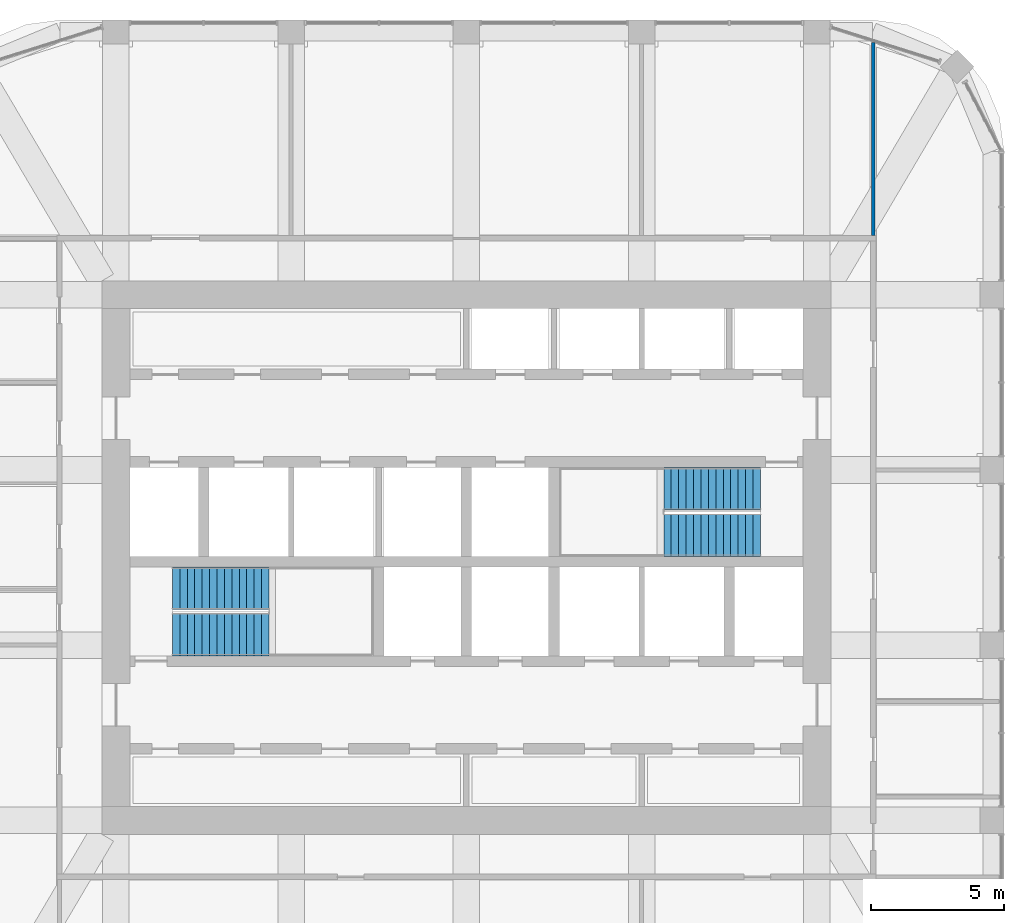
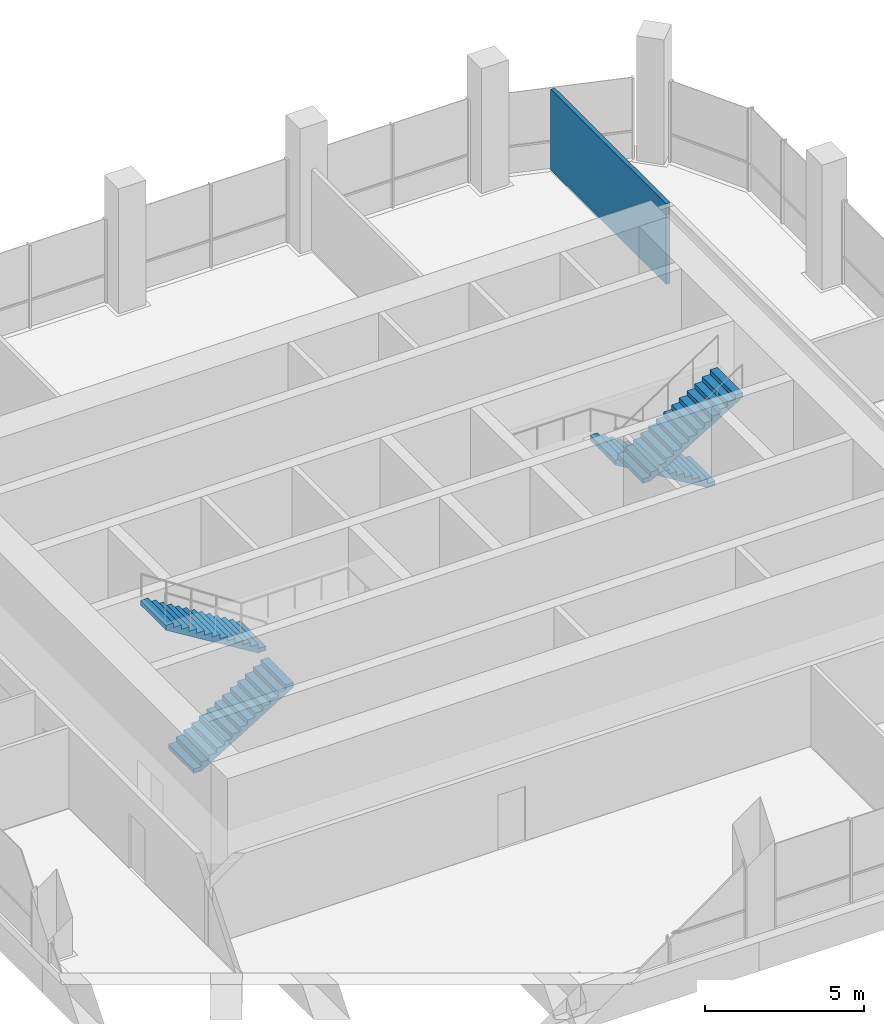
# One storey, part 11 of 13: 4 stair flights, 1 wall, 2 elements without a shape of their own.
"""IFC4 building model written with IfcOpenShell, lengths in metres."""

from ifc_helpers import new_model, si_unit, direction, frame, frame_2d, origin, place, context, subcontext, project, spatial, polyline, rectangle, outline, extrude, material, layer, layer_set, type_object, element, aggregate, save


model = new_model("IFC4")

# Units and contexts
model_context = context("Model", 3, precision=1e-05, world=origin(), true_north=direction((0.0, 1.0)))
body_context = subcontext(model_context, "Body", "Model", "MODEL_VIEW")
ifc_project = project(units=[si_unit("LENGTHUNIT", "METRE"), si_unit("AREAUNIT", "SQUARE_METRE"), si_unit("VOLUMEUNIT", "CUBIC_METRE"), si_unit("PLANEANGLEUNIT", "RADIAN"), si_unit("MASSUNIT", "GRAM", prefix="KILO")], contexts=[model_context])

# Site, building, storey
site_placement = place(None, origin())
site = spatial("IfcSite", under=ifc_project, at=site_placement, CompositionType="ELEMENT")
building_placement = place(site_placement, origin())
building = spatial("IfcBuilding", under=site, at=building_placement, Name="Cobogo Forest Laboratory Tower", CompositionType="ELEMENT")
storey_placement = place(building_placement, frame((0.0, 0.0, 288.0)))
storey = spatial("IfcBuildingStorey", under=building, at=storey_placement, Name="L66", CompositionType="ELEMENT", Elevation=288.0)

# Wall
ifc_material_1 = material(Name="Gypsum board on steel studs", Category="steel")
ifc_layer = layer(ifc_material_1, 0.14990234375)
ifc_layer_set = layer_set([ifc_layer], Name="PT1 laboratory partition 150")
wall_type = type_object("IfcWallType", Name="PT1 laboratory partition 150", PredefinedType="PARTITIONING", material=ifc_layer_set)
wall_placement = place(storey_placement, frame((41.72509765625, 42.4951171875, 0.0), z_axis=(0.0, 0.0, 1.0), x_axis=(0.0, -1.0, 0.0)))
element("IfcWall", 1, at=wall_placement, inside=storey, type_object=wall_type, Name="Partition PW-NE L66", PredefinedType="PARTITIONING", context=body_context, shape_type="SweptSolid", body=[
    extrude(rectangle(XDim=7.27001953125, YDim=0.14990234375, at=frame_2d((3.635009765625, 0.0))), origin(), (0.0, 0.0, 1.0), 3.10009765625),
])

# Stair, stair flights
ifc_material_2 = material(Name="Precast concrete HA-40 (C40/50)", Category="concrete")
stair_type = type_object("IfcStairType", Name="ST28 exit stair 28 risers", PredefinedType="HALF_TURN_STAIR", material=ifc_material_2)
stair_1_placement = place(storey_placement, origin())
stair_1 = element("IfcStair", 2, at=stair_1_placement, inside=storey, type_object=stair_type, Name="Stair 1 L66 to RF", PredefinedType="HALF_TURN_STAIR")
stair_flight_type = type_object("IfcStairFlightType", Name="ST stair flight 280 going", PredefinedType="STRAIGHT", material=ifc_material_2)
stair_flight_1_placement = place(storey_placement, frame((15.324951171875, 20.199951171875, 0.0), z_axis=(0.0, 0.0, 1.0), x_axis=(1.0, 0.0, 0.0)))
stair_flight_1 = element("IfcStairFlight", 3, at=stair_flight_1_placement, type_object=stair_flight_type, Name="ST1 flight 1", NumberOfRisers=14, NumberOfTreads=13, PredefinedType="STRAIGHT", RiserHeight=0.171428571, TreadLength=0.28, context=body_context, shape_type="SweptSolid", body=[
    extrude(outline(polyline([(0.0, 0.0), (0.0, 0.17138671875), (0.280029296875, 0.17138671875), (0.280029296875, 0.3427734375), (0.56005859375, 0.3427734375), (0.56005859375, 0.514404296875), (0.840087890625, 0.514404296875), (0.840087890625, 0.685791015625), (1.1201171875, 0.685791015625), (1.1201171875, 0.857177734375), (1.39990234375, 0.857177734375), (1.39990234375, 1.028564453125), (1.679931640625, 1.028564453125), (1.679931640625, 1.199951171875), (1.9599609375, 1.199951171875), (1.9599609375, 1.371337890625), (2.239990234375, 1.371337890625), (2.239990234375, 1.54296875), (2.52001953125, 1.54296875), (2.52001953125, 1.71435546875), (2.800048828125, 1.71435546875), (2.800048828125, 1.8857421875), (3.080078125, 1.8857421875), (3.080078125, 2.05712890625), (3.360107421875, 2.05712890625), (3.360107421875, 2.228515625), (3.639892578125, 2.228515625), (3.639892578125, 2.39990234375), (3.639892578125, 2.052734375), (0.287109375, 0.0), (0.0, 0.0)])), frame((0.0, 0.800048828125, 0.0), z_axis=(0.0, -1.0, 0.0), x_axis=(1.0, 0.0, 0.0)), (0.0, 0.0, 1.0), 1.60009765625),
])
stair_flight_2_placement = place(storey_placement, frame((18.965087890625, 21.949951171875, 2.39990234375), z_axis=(0.0, 0.0, 1.0), x_axis=(-1.0, 0.0, 0.0)))
stair_flight_2 = element("IfcStairFlight", 4, at=stair_flight_2_placement, type_object=stair_flight_type, Name="ST1 flight 2", NumberOfRisers=14, NumberOfTreads=13, PredefinedType="STRAIGHT", RiserHeight=0.171428571, TreadLength=0.28, context=body_context, shape_type="SweptSolid", body=[
    extrude(outline(polyline([(0.0, 0.0), (0.0, 0.17138671875), (0.280029296875, 0.17138671875), (0.280029296875, 0.3427734375), (0.56005859375, 0.3427734375), (0.56005859375, 0.514404296875), (0.840087890625, 0.514404296875), (0.840087890625, 0.685791015625), (1.1201171875, 0.685791015625), (1.1201171875, 0.857177734375), (1.39990234375, 0.857177734375), (1.39990234375, 1.028564453125), (1.679931640625, 1.028564453125), (1.679931640625, 1.199951171875), (1.9599609375, 1.199951171875), (1.9599609375, 1.371337890625), (2.239990234375, 1.371337890625), (2.239990234375, 1.54296875), (2.52001953125, 1.54296875), (2.52001953125, 1.71435546875), (2.800048828125, 1.71435546875), (2.800048828125, 1.8857421875), (3.080078125, 1.8857421875), (3.080078125, 2.05712890625), (3.360107421875, 2.05712890625), (3.360107421875, 2.228515625), (3.639892578125, 2.228515625), (3.639892578125, 2.39990234375), (3.639892578125, 2.052734375), (0.287109375, 0.0), (0.0, 0.0)])), frame((0.0, 0.800048828125, 0.0), z_axis=(0.0, -1.0, 0.0), x_axis=(1.0, 0.0, 0.0)), (0.0, 0.0, 1.0), 1.60009765625),
])
aggregate(stair_1, [stair_flight_1, stair_flight_2])

stair_2_placement = place(storey_placement, origin())
stair_2 = element("IfcStair", 5, at=stair_2_placement, inside=storey, type_object=stair_type, Name="Stair 2 L66 to RF", PredefinedType="HALF_TURN_STAIR")
stair_flight_3_placement = place(storey_placement, frame((37.47509765625, 25.699951171875, 0.0), z_axis=(0.0, 0.0, 1.0), x_axis=(-1.0, 0.0, 0.0)))
stair_flight_3 = element("IfcStairFlight", 6, at=stair_flight_3_placement, type_object=stair_flight_type, Name="ST2 flight 1", NumberOfRisers=14, NumberOfTreads=13, PredefinedType="STRAIGHT", RiserHeight=0.171428571, TreadLength=0.28, context=body_context, shape_type="SweptSolid", body=[
    extrude(outline(polyline([(0.0, 0.0), (0.0, 0.17138671875), (0.280029296875, 0.17138671875), (0.280029296875, 0.3427734375), (0.56005859375, 0.3427734375), (0.56005859375, 0.514404296875), (0.840087890625, 0.514404296875), (0.840087890625, 0.685791015625), (1.1201171875, 0.685791015625), (1.1201171875, 0.857177734375), (1.39990234375, 0.857177734375), (1.39990234375, 1.028564453125), (1.679931640625, 1.028564453125), (1.679931640625, 1.199951171875), (1.9599609375, 1.199951171875), (1.9599609375, 1.371337890625), (2.239990234375, 1.371337890625), (2.239990234375, 1.54296875), (2.52001953125, 1.54296875), (2.52001953125, 1.71435546875), (2.800048828125, 1.71435546875), (2.800048828125, 1.8857421875), (3.080078125, 1.8857421875), (3.080078125, 2.05712890625), (3.360107421875, 2.05712890625), (3.360107421875, 2.228515625), (3.639892578125, 2.228515625), (3.639892578125, 2.39990234375), (3.639892578125, 2.052734375), (0.287109375, 0.0), (0.0, 0.0)])), frame((0.0, 0.800048828125, 0.0), z_axis=(0.0, -1.0, 0.0), x_axis=(1.0, 0.0, 0.0)), (0.0, 0.0, 1.0), 1.60009765625),
])
stair_flight_4_placement = place(storey_placement, frame((33.8349609375, 23.949951171875, 2.39990234375), z_axis=(0.0, 0.0, 1.0), x_axis=(1.0, 0.0, 0.0)))
stair_flight_4 = element("IfcStairFlight", 7, at=stair_flight_4_placement, type_object=stair_flight_type, Name="ST2 flight 2", NumberOfRisers=14, NumberOfTreads=13, PredefinedType="STRAIGHT", RiserHeight=0.171428571, TreadLength=0.28, context=body_context, shape_type="SweptSolid", body=[
    extrude(outline(polyline([(0.0, 0.0), (0.0, 0.17138671875), (0.280029296875, 0.17138671875), (0.280029296875, 0.3427734375), (0.56005859375, 0.3427734375), (0.56005859375, 0.514404296875), (0.840087890625, 0.514404296875), (0.840087890625, 0.685791015625), (1.1201171875, 0.685791015625), (1.1201171875, 0.857177734375), (1.39990234375, 0.857177734375), (1.39990234375, 1.028564453125), (1.679931640625, 1.028564453125), (1.679931640625, 1.199951171875), (1.9599609375, 1.199951171875), (1.9599609375, 1.371337890625), (2.239990234375, 1.371337890625), (2.239990234375, 1.54296875), (2.52001953125, 1.54296875), (2.52001953125, 1.71435546875), (2.800048828125, 1.71435546875), (2.800048828125, 1.8857421875), (3.080078125, 1.8857421875), (3.080078125, 2.05712890625), (3.360107421875, 2.05712890625), (3.360107421875, 2.228515625), (3.639892578125, 2.228515625), (3.639892578125, 2.39990234375), (3.639892578125, 2.052734375), (0.287109375, 0.0), (0.0, 0.0)])), frame((0.0, 0.800048828125, 0.0), z_axis=(0.0, -1.0, 0.0), x_axis=(1.0, 0.0, 0.0)), (0.0, 0.0, 1.0), 1.60009765625),
])
aggregate(stair_2, [stair_flight_3, stair_flight_4])

save(model, "model.ifc")
